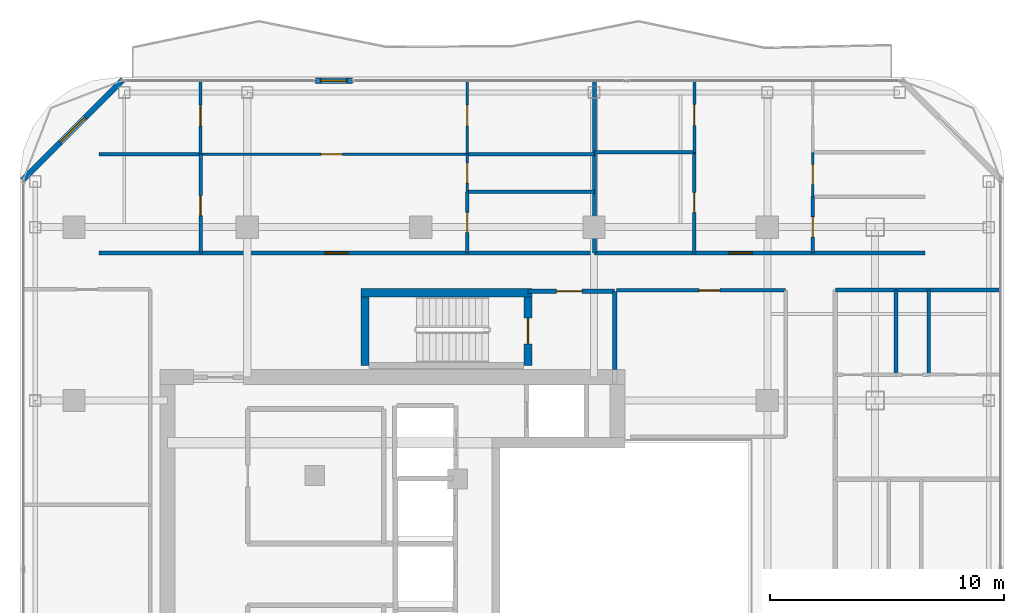
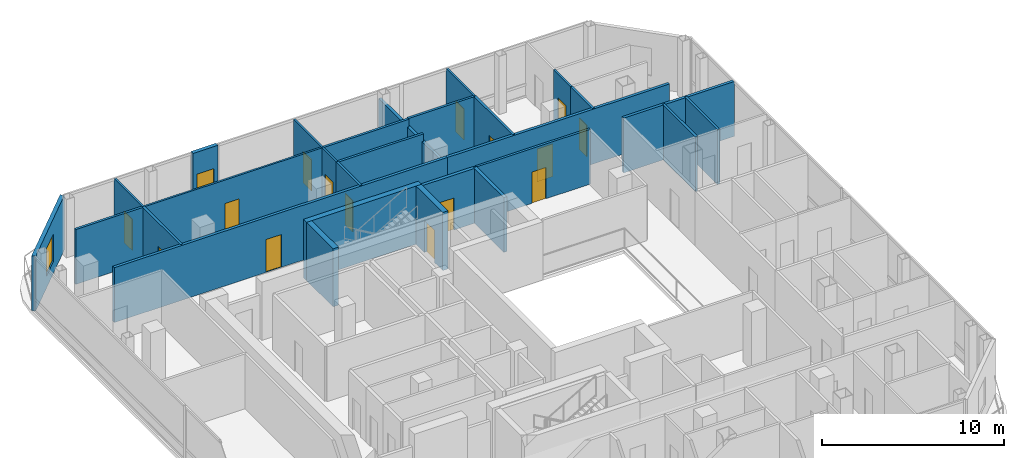
# One storey, part 20 of 24: 28 walls, 16 doors, 1 window, 17 openings.
"""IFC4 building model written with IfcOpenShell, lengths in metres."""

from ifc_helpers import new_model, si_unit, direction, frame, frame_2d, origin, place, context, subcontext, project, spatial, rectangle, extrude, material, layer, layer_set, type_object, element, fill, save


model = new_model("IFC4")

# Units and contexts
model_context = context("Model", 3, precision=1e-05, world=origin(), true_north=direction((0.0, 1.0)))
body_context = subcontext(model_context, "Body", "Model", "MODEL_VIEW")
ifc_project = project(units=[si_unit("LENGTHUNIT", "METRE"), si_unit("AREAUNIT", "SQUARE_METRE"), si_unit("VOLUMEUNIT", "CUBIC_METRE"), si_unit("PLANEANGLEUNIT", "RADIAN"), si_unit("MASSUNIT", "GRAM", prefix="KILO")], contexts=[model_context])

# Site, building, storey
site_placement = place(None, origin())
site = spatial("IfcSite", under=ifc_project, at=site_placement, CompositionType="ELEMENT")
building_placement = place(site_placement, origin())
building = spatial("IfcBuilding", under=site, at=building_placement, Name="Khorvyn Point Tower", CompositionType="ELEMENT")
storey_placement = place(building_placement, frame((0.0, 0.0, 266.39990234375)))
storey = spatial("IfcBuildingStorey", under=building, at=storey_placement, Name="L65", CompositionType="ELEMENT", Elevation=266.39990234375)

# Wall, opening, door
ifc_material_1 = material(Name="Double acoustic gypsum on twin steel stud", Category="steel")
ifc_layer_1 = layer(ifc_material_1, 0.179931640625)
ifc_layer_set_1 = layer_set([ifc_layer_1], Name="Acoustic Double-Stud Apartment Demising Wall 180")
wall_type_1 = type_object("IfcWallType", Name="Acoustic Double-Stud Apartment Demising Wall 180", PredefinedType="PARTITIONING", material=ifc_layer_set_1)
wall_1_placement = place(storey_placement, frame((-13.719970703125, 13.699951171875, 0.0), z_axis=(0.0, 0.0, 1.0), x_axis=(1.0, 0.0, 0.0)))
wall_1 = element("IfcWall", 1, at=wall_1_placement, inside=storey, type_object=wall_type_1, Name="Wall", PredefinedType="PARTITIONING", context=body_context, shape_type="SweptSolid", body=[
    extrude(rectangle(XDim=21.14404296875, YDim=0.179931640625, at=frame_2d((10.572021484375, 0.0))), origin(), (0.0, 0.0, 1.0), 3.68017578125),
])
opening_1_placement = place(wall_1_placement, frame((9.62548828125, 0.0, 0.0)))
opening_1 = element("IfcOpeningElement", 2, at=opening_1_placement, cuts=wall_1, Name="Opening ID-AP60", PredefinedType="OPENING", context=body_context, shape_type="SweptSolid", body=[
    extrude(rectangle(XDim=1.0, YDim=2.199951171875, at=frame_2d((0.5, 1.10009765625))), frame((0.0, 0.099853515625, 0.0), z_axis=(0.0, -1.0, 0.0), x_axis=(1.0, 0.0, 0.0)), (0.0, 0.0, 1.0), 0.199951171875),
])
ifc_material_2 = material(Name="Engineered hardwood fire-rated leaf", Category="wood")
door_type_1 = type_object("IfcDoorType", Name="Acoustic Solid-Core Timber Apartment Entrance Door 1000x2200", OperationType="NOTDEFINED", PredefinedType="DOOR", material=ifc_material_2)
door_1_placement = place(opening_1_placement, origin())
door_1 = element("IfcDoor", 3, at=door_1_placement, inside=storey, type_object=door_type_1, Name="Door", OperationType="SINGLE_SWING_LEFT", OverallHeight=2.199951171875, OverallWidth=1.0, PredefinedType="DOOR", context=body_context, shape_type="SweptSolid", body=[
    extrude(rectangle(XDim=1.0, YDim=2.199951171875, at=frame_2d((0.5, 1.10009765625))), frame((0.0, 0.02490234375, 0.0), z_axis=(0.0, -1.0, 0.0), x_axis=(1.0, 0.0, 0.0)), (0.0, 0.0, 1.0), 0.050048828125),
])
fill(opening_1, door_1)

wall_2_placement = place(storey_placement, frame((7.424072265625, 13.699951171875, 0.0), z_axis=(0.0, 0.0, 1.0), x_axis=(1.0, 0.0, 0.0)))
wall_2 = element("IfcWall", 4, at=wall_2_placement, inside=storey, type_object=wall_type_1, Name="Wall", PredefinedType="PARTITIONING", context=body_context, shape_type="SweptSolid", body=[
    extrude(rectangle(XDim=14.095947265625, YDim=0.179931640625, at=frame_2d((7.0478515625, 0.0))), origin(), (0.0, 0.0, 1.0), 3.68017578125),
])
opening_2_placement = place(wall_2_placement, frame((5.73828125, 0.0, 0.0)))
opening_2 = element("IfcOpeningElement", 5, at=opening_2_placement, cuts=wall_2, Name="Opening ID-AP60", PredefinedType="OPENING", context=body_context, shape_type="SweptSolid", body=[
    extrude(rectangle(XDim=1.0, YDim=2.199951171875, at=frame_2d((0.5, 1.10009765625))), frame((0.0, 0.099853515625, 0.0), z_axis=(0.0, -1.0, 0.0), x_axis=(1.0, 0.0, 0.0)), (0.0, 0.0, 1.0), 0.199951171875),
])
door_2_placement = place(opening_2_placement, origin())
door_2 = element("IfcDoor", 6, at=door_2_placement, inside=storey, type_object=door_type_1, Name="Door", OperationType="SINGLE_SWING_RIGHT", OverallHeight=2.199951171875, OverallWidth=1.0, PredefinedType="DOOR", context=body_context, shape_type="SweptSolid", body=[
    extrude(rectangle(XDim=1.0, YDim=2.199951171875, at=frame_2d((0.5, 1.10009765625))), frame((0.0, 0.02490234375, 0.0), z_axis=(0.0, -1.0, 0.0), x_axis=(1.0, 0.0, 0.0)), (0.0, 0.0, 1.0), 0.050048828125),
])
fill(opening_2, door_2)

# Walls
wall_3_placement = place(storey_placement, frame((7.424072265625, 13.699951171875, 0.0), z_axis=(0.0, 0.0, 1.0), x_axis=(0.0, 1.0, 0.0)))
element("IfcWall", 7, at=wall_3_placement, inside=storey, type_object=wall_type_1, Name="Wall", PredefinedType="PARTITIONING", context=body_context, shape_type="SweptSolid", body=[
    extrude(rectangle(XDim=7.330078125, YDim=0.179931640625, at=frame_2d((3.6650390625, 0.0))), origin(), (0.0, 0.0, 1.0), 3.18212890625),
])
wall_4_placement = place(storey_placement, frame((17.699951171875, 12.1201171875, 0.0), z_axis=(0.0, 0.0, 1.0), x_axis=(1.0, 0.0, 0.0)))
element("IfcWall", 8, at=wall_4_placement, inside=storey, type_object=wall_type_1, Name="Wall", PredefinedType="PARTITIONING", context=body_context, shape_type="SweptSolid", body=[
    extrude(rectangle(XDim=7.030029296875, YDim=0.179931640625, at=frame_2d((3.51513671875, 0.0))), origin(), (0.0, 0.0, 1.0), 3.68017578125),
])

# Wall, opening, door
ifc_material_3 = material(Name="Pale anodised aluminium rainscreen on steel stud", Category="steel")
ifc_layer_2 = layer(ifc_material_3, 0.239990234375)
ifc_layer_set_2 = layer_set([ifc_layer_2], Name="Anodised Aluminium Insulated Corner Spandrel Wall 240")
wall_type_2 = type_object("IfcWallType", Name="Anodised Aluminium Insulated Corner Spandrel Wall 240", PredefinedType="SOLIDWALL", material=ifc_layer_set_2)
wall_5_placement = place(storey_placement, frame((-4.4951171875, 21.050048828125, 0.0), z_axis=(0.0, 0.0, 1.0), x_axis=(1.0, 0.0, 0.0)))
wall_5 = element("IfcWall", 9, at=wall_5_placement, inside=storey, type_object=wall_type_2, Name="L65 North Outdoor Threshold Wall", PredefinedType="SOLIDWALL", context=body_context, shape_type="SweptSolid", body=[
    extrude(rectangle(XDim=1.580078125, YDim=0.239990234375, at=frame_2d((0.7900390625, 0.0))), origin(), (0.0, 0.0, 1.0), 3.68017578125),
])
opening_3_placement = place(wall_5_placement, frame((0.239990234375, 0.0, 0.0)))
opening_3 = element("IfcOpeningElement", 10, at=opening_3_placement, cuts=wall_5, Name="Opening BD-1122", PredefinedType="OPENING", context=body_context, shape_type="SweptSolid", body=[
    extrude(rectangle(XDim=1.10009765625, YDim=2.199951171875, at=frame_2d((0.550048828125, 1.10009765625))), frame((0.0, 0.1298828125, 0.0), z_axis=(0.0, -1.0, 0.0), x_axis=(1.0, 0.0, 0.0)), (0.0, 0.0, 1.0), 0.260009765625),
])
ifc_material_4 = material(Name="Anodised aluminium 6063-T6 and laminated Low-E glass", Category="aluminium")
door_type_2 = type_object("IfcDoorType", Name="Glazed Balcony and Terrace Threshold Door 1100x2200", OperationType="NOTDEFINED", PredefinedType="DOOR", material=ifc_material_4)
door_3_placement = place(opening_3_placement, origin())
door_3 = element("IfcDoor", 11, at=door_3_placement, inside=storey, type_object=door_type_2, Name="L65 North Glazed Balcony Outdoor Door", OperationType="SINGLE_SWING_LEFT", OverallHeight=2.199951171875, OverallWidth=1.10009765625, PredefinedType="DOOR", context=body_context, shape_type="SweptSolid", body=[
    extrude(rectangle(XDim=1.10009765625, YDim=2.199951171875, at=frame_2d((0.550048828125, 1.10009765625))), frame((0.0, 0.02490234375, 0.0), z_axis=(0.0, -1.0, 0.0), x_axis=(1.0, 0.0, 0.0)), (0.0, 0.0, 1.0), 0.050048828125),
])
fill(opening_3, door_3)

# Wall, opening, window
wall_6_placement = place(storey_placement, frame((-16.992431640625, 16.8076171875, 0.0), z_axis=(0.0, 0.0, 1.0), x_axis=(0.707126925818, 0.707086635981, 0.0)))
wall_6 = element("IfcWall", 12, at=wall_6_placement, inside=storey, type_object=wall_type_2, Name="L65 Rounded Corner Wall NW", PredefinedType="SOLIDWALL", context=body_context, shape_type="SweptSolid", body=[
    extrude(rectangle(XDim=6.0595703125, YDim=0.239990234375, at=frame_2d((3.02978515625, 0.0))), origin(), (0.0, 0.0, 1.0), 3.68017578125),
])
opening_4_placement = place(wall_6_placement, frame((2.27978515625, 0.0, 0.800048828125)))
opening_4 = element("IfcOpeningElement", 13, at=opening_4_placement, cuts=wall_6, Name="Opening WN-1518", PredefinedType="OPENING", context=body_context, shape_type="SweptSolid", body=[
    extrude(rectangle(XDim=1.5, YDim=1.85009765625, at=frame_2d((0.75, 0.925048828125))), frame((0.0, 0.1298828125, 0.0), z_axis=(0.0, -1.0, 0.0), x_axis=(1.0, 0.0, 0.0)), (0.0, 0.0, 1.0), 0.260009765625),
])
window_type = type_object("IfcWindowType", Name="Anodised Aluminium Rounded-Corner Panoramic Window 1500x1850", PartitioningType="SINGLE_PANEL", PredefinedType="WINDOW", material=ifc_material_4)
window_placement = place(opening_4_placement, origin())
window = element("IfcWindow", 14, at=window_placement, inside=storey, type_object=window_type, Name="L65 Corner Panoramic Window NW", OverallHeight=1.85009765625, OverallWidth=1.5, PartitioningType="SINGLE_PANEL", PredefinedType="WINDOW", context=body_context, shape_type="SweptSolid", body=[
    extrude(rectangle(XDim=1.5, YDim=1.85009765625, at=frame_2d((0.75, 0.925048828125))), frame((0.0, 0.030029296875, 0.0), z_axis=(0.0, -1.0, 0.0), x_axis=(1.0, 0.0, 0.0)), (0.0, 0.0, 1.0), 0.06005859375),
])
fill(opening_4, window)

# Wall, opening, door
ifc_material_5 = material(Name="Concrete C40/50", Category="concrete")
ifc_layer_3 = layer(ifc_material_5, 0.199951171875)
ifc_layer_set_3 = layer_set([ifc_layer_3], Name="Concrete C40/50 Fire-Lobby Compartment Wall 200")
wall_type_3 = type_object("IfcWallType", Name="Concrete C40/50 Fire-Lobby Compartment Wall 200", PredefinedType="SOLIDWALL", material=ifc_layer_set_3)
wall_7_placement = place(storey_placement, frame((4.580078125, 12.06005859375, 0.0), z_axis=(0.0, 0.0, 1.0), x_axis=(1.0, 0.0, 0.0)))
wall_7 = element("IfcWall", 15, at=wall_7_placement, inside=storey, type_object=wall_type_3, Name="Wall", PredefinedType="SOLIDWALL", context=body_context, shape_type="SweptSolid", body=[
    extrude(rectangle(XDim=3.699951171875, YDim=0.199951171875, at=frame_2d((1.85009765625, 0.0))), origin(), (0.0, 0.0, 1.0), 3.68017578125),
])
opening_5_placement = place(wall_7_placement, frame((1.21240234375, 0.0, 0.0)))
opening_5 = element("IfcOpeningElement", 16, at=opening_5_placement, cuts=wall_7, Name="Opening ID-FL90", PredefinedType="OPENING", context=body_context, shape_type="SweptSolid", body=[
    extrude(rectangle(XDim=1.10009765625, YDim=2.14990234375, at=frame_2d((0.550048828125, 1.074951171875))), frame((0.0, 0.10986328125, 0.0), z_axis=(0.0, -1.0, 0.0), x_axis=(1.0, 0.0, 0.0)), (0.0, 0.0, 1.0), 0.219970703125),
])
ifc_material_6 = material(Name="Galvanised powder-coated steel", Category="steel")
door_type_3 = type_object("IfcDoorType", Name="Fire-Rated Steel Lobby and Stair Door 1100x2150", OperationType="NOTDEFINED", PredefinedType="DOOR", material=ifc_material_6)
door_4_placement = place(opening_5_placement, origin())
door_4 = element("IfcDoor", 17, at=door_4_placement, inside=storey, type_object=door_type_3, Name="Door", OperationType="SINGLE_SWING_LEFT", OverallHeight=2.14990234375, OverallWidth=1.10009765625, PredefinedType="DOOR", context=body_context, shape_type="SweptSolid", body=[
    extrude(rectangle(XDim=1.10009765625, YDim=2.14990234375, at=frame_2d((0.550048828125, 1.074951171875))), frame((0.0, 0.02490234375, 0.0), z_axis=(0.0, -1.0, 0.0), x_axis=(1.0, 0.0, 0.0)), (0.0, 0.0, 1.0), 0.050048828125),
])
fill(opening_5, door_4)

# Walls
wall_8_placement = place(storey_placement, frame((8.280029296875, 8.72509765625, 0.0), z_axis=(0.0, 0.0, 1.0), x_axis=(0.0, 1.0, 0.0)))
element("IfcWall", 18, at=wall_8_placement, inside=storey, type_object=wall_type_3, Name="Wall", PredefinedType="SOLIDWALL", context=body_context, shape_type="SweptSolid", body=[
    extrude(rectangle(XDim=3.3349609375, YDim=0.199951171875, at=frame_2d((1.66748046875, 0.0))), origin(), (0.0, 0.0, 1.0), 3.68017578125),
])
ifc_layer_4 = layer(ifc_material_5, 0.35009765625)
ifc_layer_set_4 = layer_set([ifc_layer_4], Name="Concrete C40/50 Stair Shaft Structural Wall 350")
wall_type_4 = type_object("IfcWallType", Name="Concrete C40/50 Stair Shaft Structural Wall 350", PredefinedType="SHEAR", material=ifc_layer_set_4)
wall_9_placement = place(storey_placement, frame((-2.554931640625, 12.0, 0.0), z_axis=(0.0, 0.0, 1.0), x_axis=(1.0, 0.0, 0.0)))
element("IfcWall", 19, at=wall_9_placement, inside=storey, type_object=wall_type_4, Name="L65 ST-02 North Shaft Wall", PredefinedType="SHEAR", context=body_context, shape_type="SweptSolid", body=[
    extrude(rectangle(XDim=7.309814453125, YDim=0.35009765625, at=frame_2d((3.65478515625, 0.0))), origin(), (0.0, 0.0, 1.0), 3.900146484375),
])
wall_10_placement = place(storey_placement, frame((-2.3798828125, 8.89990234375, 0.0), z_axis=(0.0, 0.0, 1.0), x_axis=(0.0, 1.0, 0.0)))
element("IfcWall", 20, at=wall_10_placement, inside=storey, type_object=wall_type_4, Name="L65 ST-02 West Shaft Wall", PredefinedType="SHEAR", context=body_context, shape_type="SweptSolid", body=[
    extrude(rectangle(XDim=2.925048828125, YDim=0.35009765625, at=frame_2d((1.46240234375, 0.0))), origin(), (0.0, 0.0, 1.0), 3.900146484375),
])

# Wall, opening, door
wall_11_placement = place(storey_placement, frame((4.580078125, 11.824951171875, 0.0), z_axis=(0.0, 0.0, 1.0), x_axis=(0.0, -1.0, 0.0)))
wall_11 = element("IfcWall", 21, at=wall_11_placement, inside=storey, type_object=wall_type_4, Name="L65 ST-02 East Landing Door Wall", PredefinedType="SHEAR", context=body_context, shape_type="SweptSolid", body=[
    extrude(rectangle(XDim=2.925048828125, YDim=0.35009765625, at=frame_2d((1.46240234375, 0.0))), origin(), (0.0, 0.0, 1.0), 3.900146484375),
])
opening_6_placement = place(wall_11_placement, frame((0.91259765625, 0.0, 0.0)))
opening_6 = element("IfcOpeningElement", 22, at=opening_6_placement, cuts=wall_11, Name="Opening ID-FL90", PredefinedType="OPENING", context=body_context, shape_type="SweptSolid", body=[
    extrude(rectangle(XDim=1.10009765625, YDim=2.14990234375, at=frame_2d((0.550048828125, 1.074951171875))), frame((0.0, 0.18505859375, 0.0), z_axis=(0.0, -1.0, 0.0), x_axis=(1.0, 0.0, 0.0)), (0.0, 0.0, 1.0), 0.3701171875),
])
door_5_placement = place(opening_6_placement, origin())
door_5 = element("IfcDoor", 23, at=door_5_placement, inside=storey, type_object=door_type_3, Name="L65 ST-02 Smokeproof Landing Door", OperationType="SINGLE_SWING_RIGHT", OverallHeight=2.14990234375, OverallWidth=1.10009765625, PredefinedType="DOOR", context=body_context, shape_type="SweptSolid", body=[
    extrude(rectangle(XDim=1.10009765625, YDim=2.14990234375, at=frame_2d((0.550048828125, 1.074951171875))), frame((0.0, 0.02490234375, 0.0), z_axis=(0.0, -1.0, 0.0), x_axis=(1.0, 0.0, 0.0)), (0.0, 0.0, 1.0), 0.050048828125),
])
fill(opening_6, door_5)

ifc_material_7 = material(Name="Gypsum plasterboard on steel stud", Category="steel")
ifc_layer_5 = layer(ifc_material_7, 0.1201171875)
ifc_layer_set_5 = layer_set([ifc_layer_5], Name="Gypsum Acoustic Stud Room Partition Wall 120")
wall_type_5 = type_object("IfcWallType", Name="Gypsum Acoustic Stud Room Partition Wall 120", PredefinedType="PARTITIONING", material=ifc_layer_set_5)
wall_12_placement = place(storey_placement, frame((-9.39501953125, 17.9130859375, 0.0), z_axis=(0.0, 0.0, 1.0), x_axis=(1.0, 0.0, 0.0)))
wall_12 = element("IfcWall", 24, at=wall_12_placement, inside=storey, type_object=wall_type_5, Name="Wall", PredefinedType="PARTITIONING", context=body_context, shape_type="SweptSolid", body=[
    extrude(rectangle(XDim=11.381103515625, YDim=0.1201171875, at=frame_2d((5.6904296875, 0.0))), origin(), (0.0, 0.0, 1.0), 3.68017578125),
])
opening_7_placement = place(wall_12_placement, frame((5.1513671875, 0.0, 0.0)))
opening_7 = element("IfcOpeningElement", 25, at=opening_7_placement, cuts=wall_12, Name="Opening ID-RM90", PredefinedType="OPENING", context=body_context, shape_type="SweptSolid", body=[
    extrude(rectangle(XDim=0.89990234375, YDim=2.10009765625, at=frame_2d((0.449951171875, 1.050048828125))), frame((0.0, 0.070068359375, 0.0), z_axis=(0.0, -1.0, 0.0), x_axis=(1.0, 0.0, 0.0)), (0.0, 0.0, 1.0), 0.14013671875),
])
ifc_material_8 = material(Name="Engineered oak veneer timber", Category="wood")
door_type_4 = type_object("IfcDoorType", Name="Flush Engineered Timber Room Door 900x2100", OperationType="NOTDEFINED", PredefinedType="DOOR", material=ifc_material_8)
door_6_placement = place(opening_7_placement, origin())
door_6 = element("IfcDoor", 26, at=door_6_placement, inside=storey, type_object=door_type_4, Name="Door", OperationType="SINGLE_SWING_RIGHT", OverallHeight=2.10009765625, OverallWidth=0.89990234375, PredefinedType="DOOR", context=body_context, shape_type="SweptSolid", body=[
    extrude(rectangle(XDim=0.89990234375, YDim=2.10009765625, at=frame_2d((0.449951171875, 1.050048828125))), frame((0.0, 0.02490234375, 0.0), z_axis=(0.0, -1.0, 0.0), x_axis=(1.0, 0.0, 0.0)), (0.0, 0.0, 1.0), 0.050048828125),
])
fill(opening_7, door_6)

wall_13_placement = place(storey_placement, frame((-9.39501953125, 17.9130859375, 0.0), z_axis=(0.0, 0.0, 1.0), x_axis=(0.0, 1.0, 0.0)))
wall_13 = element("IfcWall", 27, at=wall_13_placement, inside=storey, type_object=wall_type_5, Name="Wall", PredefinedType="PARTITIONING", context=body_context, shape_type="SweptSolid", body=[
    extrude(rectangle(XDim=3.116943359375, YDim=0.1201171875, at=frame_2d((1.55859375, 0.0))), origin(), (0.0, 0.0, 1.0), 3.68017578125),
])
opening_8_placement = place(wall_13_placement, frame((1.194580078125, 0.0, 0.0)))
opening_8 = element("IfcOpeningElement", 28, at=opening_8_placement, cuts=wall_13, Name="Opening ID-RM90", PredefinedType="OPENING", context=body_context, shape_type="SweptSolid", body=[
    extrude(rectangle(XDim=0.89990234375, YDim=2.10009765625, at=frame_2d((0.449951171875, 1.050048828125))), frame((0.0, 0.070068359375, 0.0), z_axis=(0.0, -1.0, 0.0), x_axis=(1.0, 0.0, 0.0)), (0.0, 0.0, 1.0), 0.14013671875),
])
door_7_placement = place(opening_8_placement, origin())
door_7 = element("IfcDoor", 29, at=door_7_placement, inside=storey, type_object=door_type_4, Name="Door", OperationType="SINGLE_SWING_RIGHT", OverallHeight=2.10009765625, OverallWidth=0.89990234375, PredefinedType="DOOR", context=body_context, shape_type="SweptSolid", body=[
    extrude(rectangle(XDim=0.89990234375, YDim=2.10009765625, at=frame_2d((0.449951171875, 1.050048828125))), frame((0.0, 0.02490234375, 0.0), z_axis=(0.0, -1.0, 0.0), x_axis=(1.0, 0.0, 0.0)), (0.0, 0.0, 1.0), 0.050048828125),
])
fill(opening_8, door_7)

wall_14_placement = place(storey_placement, frame((1.986083984375, 16.303955078125, 0.0), z_axis=(0.0, 0.0, 1.0), x_axis=(0.0, 1.0, 0.0)))
wall_14 = element("IfcWall", 30, at=wall_14_placement, inside=storey, type_object=wall_type_5, Name="Wall", PredefinedType="PARTITIONING", context=body_context, shape_type="SweptSolid", body=[
    extrude(rectangle(XDim=1.609130859375, YDim=0.1201171875, at=frame_2d((0.8046875, 0.0))), origin(), (0.0, 0.0, 1.0), 3.68017578125),
])
opening_9_placement = place(wall_14_placement, frame((0.37939453125, 0.0, 0.0)))
opening_9 = element("IfcOpeningElement", 31, at=opening_9_placement, cuts=wall_14, Name="Opening ID-WC85", PredefinedType="OPENING", context=body_context, shape_type="SweptSolid", body=[
    extrude(rectangle(XDim=0.85009765625, YDim=2.10009765625, at=frame_2d((0.425048828125, 1.050048828125))), frame((0.0, 0.070068359375, 0.0), z_axis=(0.0, -1.0, 0.0), x_axis=(1.0, 0.0, 0.0)), (0.0, 0.0, 1.0), 0.14013671875),
])
ifc_material_9 = material(Name="High-pressure laminate on moisture-resistant core", Category="wood")
door_type_5 = type_object("IfcDoorType", Name="Moisture-Resistant Accessible Washroom Door 850x2100", OperationType="NOTDEFINED", PredefinedType="DOOR", material=ifc_material_9)
door_8_placement = place(opening_9_placement, origin())
door_8 = element("IfcDoor", 32, at=door_8_placement, inside=storey, type_object=door_type_5, Name="Door", OperationType="SINGLE_SWING_RIGHT", OverallHeight=2.10009765625, OverallWidth=0.85009765625, PredefinedType="DOOR", context=body_context, shape_type="SweptSolid", body=[
    extrude(rectangle(XDim=0.85009765625, YDim=2.10009765625, at=frame_2d((0.425048828125, 1.050048828125))), frame((0.0, 0.02490234375, 0.0), z_axis=(0.0, -1.0, 0.0), x_axis=(1.0, 0.0, 0.0)), (0.0, 0.0, 1.0), 0.050048828125),
])
fill(opening_9, door_8)

wall_15_placement = place(storey_placement, frame((1.986083984375, 17.9130859375, 0.0), z_axis=(0.0, 0.0, 1.0), x_axis=(0.0, 1.0, 0.0)))
wall_15 = element("IfcWall", 33, at=wall_15_placement, inside=storey, type_object=wall_type_5, Name="Wall", PredefinedType="PARTITIONING", context=body_context, shape_type="SweptSolid", body=[
    extrude(rectangle(XDim=3.116943359375, YDim=0.1201171875, at=frame_2d((1.55859375, 0.0))), origin(), (0.0, 0.0, 1.0), 3.68017578125),
])
opening_10_placement = place(wall_15_placement, frame((1.194580078125, 0.0, 0.0)))
opening_10 = element("IfcOpeningElement", 34, at=opening_10_placement, cuts=wall_15, Name="Opening ID-RM90", PredefinedType="OPENING", context=body_context, shape_type="SweptSolid", body=[
    extrude(rectangle(XDim=0.89990234375, YDim=2.10009765625, at=frame_2d((0.449951171875, 1.050048828125))), frame((0.0, 0.070068359375, 0.0), z_axis=(0.0, -1.0, 0.0), x_axis=(1.0, 0.0, 0.0)), (0.0, 0.0, 1.0), 0.14013671875),
])
door_9_placement = place(opening_10_placement, origin())
door_9 = element("IfcDoor", 35, at=door_9_placement, inside=storey, type_object=door_type_4, Name="Door", OperationType="SINGLE_SWING_LEFT", OverallHeight=2.10009765625, OverallWidth=0.89990234375, PredefinedType="DOOR", context=body_context, shape_type="SweptSolid", body=[
    extrude(rectangle(XDim=0.89990234375, YDim=2.10009765625, at=frame_2d((0.449951171875, 1.050048828125))), frame((0.0, 0.02490234375, 0.0), z_axis=(0.0, -1.0, 0.0), x_axis=(1.0, 0.0, 0.0)), (0.0, 0.0, 1.0), 0.050048828125),
])
fill(opening_10, door_9)

wall_16_placement = place(storey_placement, frame((11.68408203125, 17.989990234375, 0.0), z_axis=(0.0, 0.0, 1.0), x_axis=(0.0, 1.0, 0.0)))
wall_16 = element("IfcWall", 36, at=wall_16_placement, inside=storey, type_object=wall_type_5, Name="Wall", PredefinedType="PARTITIONING", context=body_context, shape_type="SweptSolid", body=[
    extrude(rectangle(XDim=3.0400390625, YDim=0.1201171875, at=frame_2d((1.52001953125, 0.0))), origin(), (0.0, 0.0, 1.0), 3.68017578125),
])
opening_11_placement = place(wall_16_placement, frame((1.152587890625, 0.0, 0.0)))
opening_11 = element("IfcOpeningElement", 37, at=opening_11_placement, cuts=wall_16, Name="Opening ID-RM90", PredefinedType="OPENING", context=body_context, shape_type="SweptSolid", body=[
    extrude(rectangle(XDim=0.89990234375, YDim=2.10009765625, at=frame_2d((0.449951171875, 1.050048828125))), frame((0.0, 0.070068359375, 0.0), z_axis=(0.0, -1.0, 0.0), x_axis=(1.0, 0.0, 0.0)), (0.0, 0.0, 1.0), 0.14013671875),
])
door_10_placement = place(opening_11_placement, origin())
door_10 = element("IfcDoor", 38, at=door_10_placement, inside=storey, type_object=door_type_4, Name="Door", OperationType="SINGLE_SWING_RIGHT", OverallHeight=2.10009765625, OverallWidth=0.89990234375, PredefinedType="DOOR", context=body_context, shape_type="SweptSolid", body=[
    extrude(rectangle(XDim=0.89990234375, YDim=2.10009765625, at=frame_2d((0.449951171875, 1.050048828125))), frame((0.0, 0.02490234375, 0.0), z_axis=(0.0, -1.0, 0.0), x_axis=(1.0, 0.0, 0.0)), (0.0, 0.0, 1.0), 0.050048828125),
])
fill(opening_11, door_10)

wall_17_placement = place(storey_placement, frame((16.738037109375, 16.10205078125, 0.0), z_axis=(0.0, 0.0, 1.0), x_axis=(0.0, 1.0, 0.0)))
wall_17 = element("IfcWall", 39, at=wall_17_placement, inside=storey, type_object=wall_type_5, Name="Wall", PredefinedType="PARTITIONING", context=body_context, shape_type="SweptSolid", body=[
    extrude(rectangle(XDim=1.887939453125, YDim=0.1201171875, at=frame_2d((0.94384765625, 0.0))), origin(), (0.0, 0.0, 1.0), 3.68017578125),
])
opening_12_placement = place(wall_17_placement, frame((0.51904296875, 0.0, 0.0)))
opening_12 = element("IfcOpeningElement", 40, at=opening_12_placement, cuts=wall_17, Name="Opening ID-WC85", PredefinedType="OPENING", context=body_context, shape_type="SweptSolid", body=[
    extrude(rectangle(XDim=0.85009765625, YDim=2.10009765625, at=frame_2d((0.425048828125, 1.050048828125))), frame((0.0, 0.070068359375, 0.0), z_axis=(0.0, -1.0, 0.0), x_axis=(1.0, 0.0, 0.0)), (0.0, 0.0, 1.0), 0.14013671875),
])
door_11_placement = place(opening_12_placement, origin())
door_11 = element("IfcDoor", 41, at=door_11_placement, inside=storey, type_object=door_type_5, Name="Door", OperationType="SINGLE_SWING_RIGHT", OverallHeight=2.10009765625, OverallWidth=0.85009765625, PredefinedType="DOOR", context=body_context, shape_type="SweptSolid", body=[
    extrude(rectangle(XDim=0.85009765625, YDim=2.10009765625, at=frame_2d((0.425048828125, 1.050048828125))), frame((0.0, 0.02490234375, 0.0), z_axis=(0.0, -1.0, 0.0), x_axis=(1.0, 0.0, 0.0)), (0.0, 0.0, 1.0), 0.050048828125),
])
fill(opening_12, door_11)

ifc_material_10 = material(Name="Moisture-resistant gypsum and cement board", Category="gypsum")
ifc_layer_6 = layer(ifc_material_10, 0.14990234375)
ifc_layer_set_6 = layer_set([ifc_layer_6], Name="Moisture-Resistant Wet-Room Partition Wall 150")
wall_type_6 = type_object("IfcWallType", Name="Moisture-Resistant Wet-Room Partition Wall 150", PredefinedType="PARTITIONING", material=ifc_layer_set_6)
wall_18_placement = place(storey_placement, frame((8.360107421875, 12.10009765625, 0.0), z_axis=(0.0, 0.0, 1.0), x_axis=(1.0, 0.0, 0.0)))
wall_18 = element("IfcWall", 42, at=wall_18_placement, inside=storey, type_object=wall_type_6, Name="Wall", PredefinedType="PARTITIONING", context=body_context, shape_type="SweptSolid", body=[
    extrude(rectangle(XDim=7.219970703125, YDim=0.14990234375, at=frame_2d((3.60986328125, 0.0))), origin(), (0.0, 0.0, 1.0), 3.68017578125),
])
opening_13_placement = place(wall_18_placement, frame((3.512939453125, 0.0, 0.0)))
opening_13 = element("IfcOpeningElement", 43, at=opening_13_placement, cuts=wall_18, Name="Opening ID-RM90", PredefinedType="OPENING", context=body_context, shape_type="SweptSolid", body=[
    extrude(rectangle(XDim=0.89990234375, YDim=2.10009765625, at=frame_2d((0.449951171875, 1.050048828125))), frame((0.0, 0.0849609375, 0.0), z_axis=(0.0, -1.0, 0.0), x_axis=(1.0, 0.0, 0.0)), (0.0, 0.0, 1.0), 0.169921875),
])
door_12_placement = place(opening_13_placement, origin())
door_12 = element("IfcDoor", 44, at=door_12_placement, inside=storey, type_object=door_type_4, Name="Door", OperationType="SINGLE_SWING_RIGHT", OverallHeight=2.10009765625, OverallWidth=0.89990234375, PredefinedType="DOOR", context=body_context, shape_type="SweptSolid", body=[
    extrude(rectangle(XDim=0.89990234375, YDim=2.10009765625, at=frame_2d((0.449951171875, 1.050048828125))), frame((0.0, 0.02490234375, 0.0), z_axis=(0.0, -1.0, 0.0), x_axis=(1.0, 0.0, 0.0)), (0.0, 0.0, 1.0), 0.050048828125),
])
fill(opening_13, door_12)

wall_19_placement = place(storey_placement, frame((-9.39501953125, 13.699951171875, 0.0), z_axis=(0.0, 0.0, 1.0), x_axis=(0.0, 1.0, 0.0)))
wall_19 = element("IfcWall", 45, at=wall_19_placement, inside=storey, type_object=wall_type_6, Name="Wall", PredefinedType="PARTITIONING", context=body_context, shape_type="SweptSolid", body=[
    extrude(rectangle(XDim=4.213134765625, YDim=0.14990234375, at=frame_2d((2.1064453125, 0.0))), origin(), (0.0, 0.0, 1.0), 3.68017578125),
])
opening_14_placement = place(wall_19_placement, frame((1.592041015625, 0.0, 0.0)))
opening_14 = element("IfcOpeningElement", 46, at=opening_14_placement, cuts=wall_19, Name="Opening ID-WC85", PredefinedType="OPENING", context=body_context, shape_type="SweptSolid", body=[
    extrude(rectangle(XDim=0.85009765625, YDim=2.10009765625, at=frame_2d((0.425048828125, 1.050048828125))), frame((0.0, 0.0849609375, 0.0), z_axis=(0.0, -1.0, 0.0), x_axis=(1.0, 0.0, 0.0)), (0.0, 0.0, 1.0), 0.169921875),
])
door_13_placement = place(opening_14_placement, origin())
door_13 = element("IfcDoor", 47, at=door_13_placement, inside=storey, type_object=door_type_5, Name="Door", OperationType="SINGLE_SWING_LEFT", OverallHeight=2.10009765625, OverallWidth=0.85009765625, PredefinedType="DOOR", context=body_context, shape_type="SweptSolid", body=[
    extrude(rectangle(XDim=0.85009765625, YDim=2.10009765625, at=frame_2d((0.425048828125, 1.050048828125))), frame((0.0, 0.02490234375, 0.0), z_axis=(0.0, -1.0, 0.0), x_axis=(1.0, 0.0, 0.0)), (0.0, 0.0, 1.0), 0.050048828125),
])
fill(opening_14, door_13)

wall_20_placement = place(storey_placement, frame((1.986083984375, 13.699951171875, 0.0), z_axis=(0.0, 0.0, 1.0), x_axis=(0.0, 1.0, 0.0)))
wall_20 = element("IfcWall", 48, at=wall_20_placement, inside=storey, type_object=wall_type_6, Name="Wall", PredefinedType="PARTITIONING", context=body_context, shape_type="SweptSolid", body=[
    extrude(rectangle(XDim=2.60400390625, YDim=0.14990234375, at=frame_2d((1.302001953125, 0.0))), origin(), (0.0, 0.0, 1.0), 3.68017578125),
])
opening_15_placement = place(wall_20_placement, frame((0.876953125, 0.0, 0.0)))
opening_15 = element("IfcOpeningElement", 49, at=opening_15_placement, cuts=wall_20, Name="Opening ID-WC85", PredefinedType="OPENING", context=body_context, shape_type="SweptSolid", body=[
    extrude(rectangle(XDim=0.85009765625, YDim=2.10009765625, at=frame_2d((0.425048828125, 1.050048828125))), frame((0.0, 0.0849609375, 0.0), z_axis=(0.0, -1.0, 0.0), x_axis=(1.0, 0.0, 0.0)), (0.0, 0.0, 1.0), 0.169921875),
])
door_14_placement = place(opening_15_placement, origin())
door_14 = element("IfcDoor", 50, at=door_14_placement, inside=storey, type_object=door_type_5, Name="Door", OperationType="SINGLE_SWING_LEFT", OverallHeight=2.10009765625, OverallWidth=0.85009765625, PredefinedType="DOOR", context=body_context, shape_type="SweptSolid", body=[
    extrude(rectangle(XDim=0.85009765625, YDim=2.10009765625, at=frame_2d((0.425048828125, 1.050048828125))), frame((0.0, 0.02490234375, 0.0), z_axis=(0.0, -1.0, 0.0), x_axis=(1.0, 0.0, 0.0)), (0.0, 0.0, 1.0), 0.050048828125),
])
fill(opening_15, door_14)

wall_21_placement = place(storey_placement, frame((11.68408203125, 13.699951171875, 0.0), z_axis=(0.0, 0.0, 1.0), x_axis=(0.0, 1.0, 0.0)))
wall_21 = element("IfcWall", 51, at=wall_21_placement, inside=storey, type_object=wall_type_6, Name="Wall", PredefinedType="PARTITIONING", context=body_context, shape_type="SweptSolid", body=[
    extrude(rectangle(XDim=4.2900390625, YDim=0.14990234375, at=frame_2d((2.14501953125, 0.0))), origin(), (0.0, 0.0, 1.0), 3.68017578125),
])
opening_16_placement = place(wall_21_placement, frame((1.719970703125, 0.0, 0.0)))
opening_16 = element("IfcOpeningElement", 52, at=opening_16_placement, cuts=wall_21, Name="Opening ID-WC85", PredefinedType="OPENING", context=body_context, shape_type="SweptSolid", body=[
    extrude(rectangle(XDim=0.85009765625, YDim=2.10009765625, at=frame_2d((0.425048828125, 1.050048828125))), frame((0.0, 0.0849609375, 0.0), z_axis=(0.0, -1.0, 0.0), x_axis=(1.0, 0.0, 0.0)), (0.0, 0.0, 1.0), 0.169921875),
])
door_15_placement = place(opening_16_placement, origin())
door_15 = element("IfcDoor", 53, at=door_15_placement, inside=storey, type_object=door_type_5, Name="Door", OperationType="SINGLE_SWING_LEFT", OverallHeight=2.10009765625, OverallWidth=0.85009765625, PredefinedType="DOOR", context=body_context, shape_type="SweptSolid", body=[
    extrude(rectangle(XDim=0.85009765625, YDim=2.10009765625, at=frame_2d((0.425048828125, 1.050048828125))), frame((0.0, 0.02490234375, 0.0), z_axis=(0.0, -1.0, 0.0), x_axis=(1.0, 0.0, 0.0)), (0.0, 0.0, 1.0), 0.050048828125),
])
fill(opening_16, door_15)

wall_22_placement = place(storey_placement, frame((16.738037109375, 13.699951171875, 0.0), z_axis=(0.0, 0.0, 1.0), x_axis=(0.0, 1.0, 0.0)))
wall_22 = element("IfcWall", 54, at=wall_22_placement, inside=storey, type_object=wall_type_6, Name="Wall", PredefinedType="PARTITIONING", context=body_context, shape_type="SweptSolid", body=[
    extrude(rectangle(XDim=2.402099609375, YDim=0.14990234375, at=frame_2d((1.201171875, 0.0))), origin(), (0.0, 0.0, 1.0), 3.68017578125),
])
opening_17_placement = place(wall_22_placement, frame((0.68798828125, 0.0, 0.0)))
opening_17 = element("IfcOpeningElement", 55, at=opening_17_placement, cuts=wall_22, Name="Opening ID-WC85", PredefinedType="OPENING", context=body_context, shape_type="SweptSolid", body=[
    extrude(rectangle(XDim=0.85009765625, YDim=2.10009765625, at=frame_2d((0.425048828125, 1.050048828125))), frame((0.0, 0.0849609375, 0.0), z_axis=(0.0, -1.0, 0.0), x_axis=(1.0, 0.0, 0.0)), (0.0, 0.0, 1.0), 0.169921875),
])
door_16_placement = place(opening_17_placement, origin())
door_16 = element("IfcDoor", 56, at=door_16_placement, inside=storey, type_object=door_type_5, Name="Door", OperationType="SINGLE_SWING_LEFT", OverallHeight=2.10009765625, OverallWidth=0.85009765625, PredefinedType="DOOR", context=body_context, shape_type="SweptSolid", body=[
    extrude(rectangle(XDim=0.85009765625, YDim=2.10009765625, at=frame_2d((0.425048828125, 1.050048828125))), frame((0.0, 0.02490234375, 0.0), z_axis=(0.0, -1.0, 0.0), x_axis=(1.0, 0.0, 0.0)), (0.0, 0.0, 1.0), 0.050048828125),
])
fill(opening_17, door_16)

# Walls
wall_23_placement = place(storey_placement, frame((-13.719970703125, 17.9130859375, 0.0), z_axis=(0.0, 0.0, 1.0), x_axis=(1.0, 0.0, 0.0)))
element("IfcWall", 57, at=wall_23_placement, inside=storey, type_object=wall_type_6, Name="Wall", PredefinedType="PARTITIONING", context=body_context, shape_type="SweptSolid", body=[
    extrude(rectangle(XDim=4.324951171875, YDim=0.14990234375, at=frame_2d((2.16259765625, 0.0))), origin(), (0.0, 0.0, 1.0), 3.68017578125),
])
for number, where, z_axis, x_axis, name in (
    (58, (1.986083984375, 16.303955078125, 0.0), (0.0, 0.0, 1.0), (1.0, 0.0, 0.0), "Wall"),
    (59, (1.986083984375, 17.9130859375, 0.0), (0.0, 0.0, 1.0), (1.0, 0.0, 0.0), "Wall"),
):
    element("IfcWall", number, at=place(storey_placement, frame(where, z_axis=z_axis, x_axis=x_axis)), inside=storey, type_object=wall_type_6, Name=name, PredefinedType="PARTITIONING", context=body_context, shape_type="SweptSolid", body=[
        extrude(rectangle(XDim=5.43798828125, YDim=0.14990234375, at=frame_2d((2.718994140625, 0.0))), origin(), (0.0, 0.0, 1.0), 3.68017578125),
    ])
wall_24_placement = place(storey_placement, frame((7.424072265625, 17.989990234375, 0.0), z_axis=(0.0, 0.0, 1.0), x_axis=(1.0, 0.0, 0.0)))
element("IfcWall", 60, at=wall_24_placement, inside=storey, type_object=wall_type_6, Name="Wall", PredefinedType="PARTITIONING", context=body_context, shape_type="SweptSolid", body=[
    extrude(rectangle(XDim=4.260009765625, YDim=0.14990234375, at=frame_2d((2.1298828125, 0.0))), origin(), (0.0, 0.0, 1.0), 3.68017578125),
])
for number, where, z_axis, x_axis, name in (
    (61, (20.2900390625, 8.5048828125, 0.0), (0.0, 0.0, 1.0), (0.0, 1.0, 0.0), "Wall"),
    (62, (21.68994140625, 8.5048828125, 0.0), (0.0, 0.0, 1.0), (0.0, 1.0, 0.0), "Wall"),
):
    element("IfcWall", number, at=place(storey_placement, frame(where, z_axis=z_axis, x_axis=x_axis)), inside=storey, type_object=wall_type_6, Name=name, PredefinedType="PARTITIONING", context=body_context, shape_type="SweptSolid", body=[
        extrude(rectangle(XDim=3.615234375, YDim=0.14990234375, at=frame_2d((1.8076171875, 0.0))), origin(), (0.0, 0.0, 1.0), 3.68017578125),
    ])

save(model, "model.ifc")
